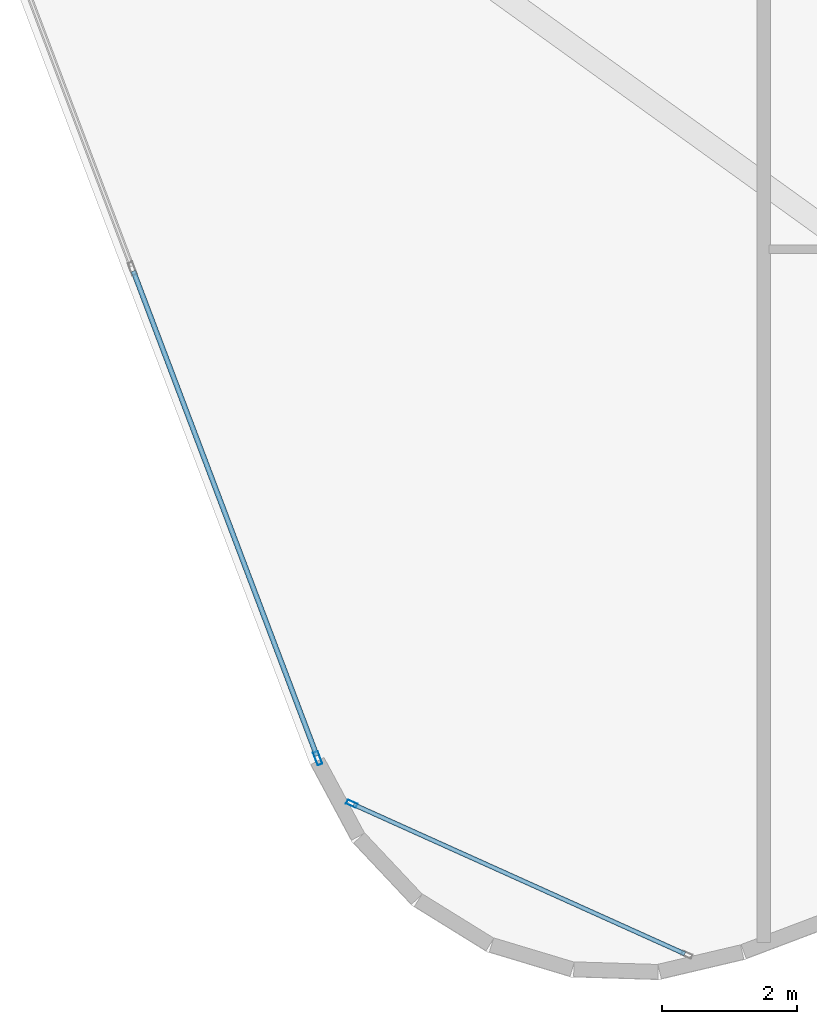
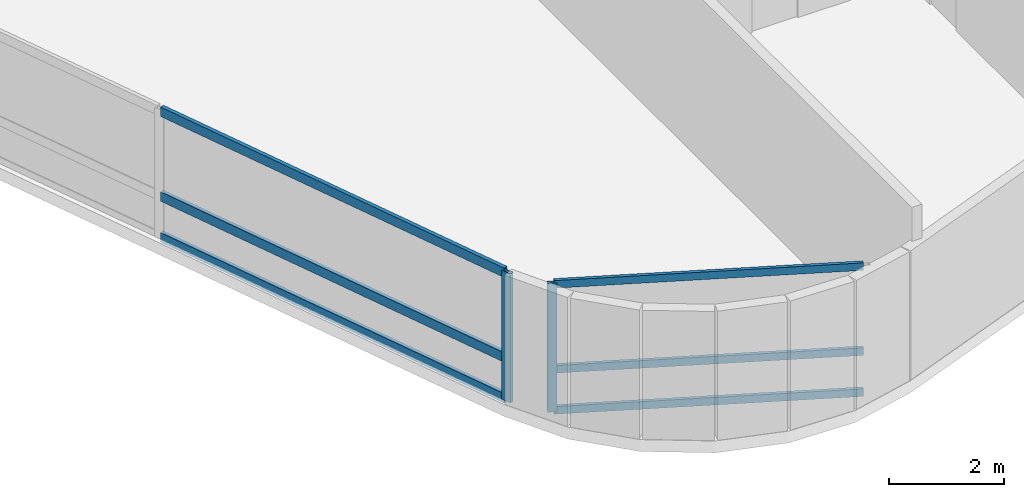
# One storey, part 3 of 24: 8 members, 2 elements without a shape of their own.
"""IFC4 building model written with IfcOpenShell, lengths in metres."""

from ifc_helpers import new_model, si_unit, direction, frame, origin, origin_2d, place, context, subcontext, project, spatial, hollow_rectangle, extrude, material, layer, layer_set, material_profile, profile_set, type_object, element, aggregate, save


model = new_model("IFC4")

# Units and contexts
model_context = context("Model", 3, precision=1e-05, world=origin(), true_north=direction((0.0, 1.0)))
body_context = subcontext(model_context, "Body", "Model", "MODEL_VIEW")
ifc_project = project(units=[si_unit("LENGTHUNIT", "METRE"), si_unit("AREAUNIT", "SQUARE_METRE"), si_unit("VOLUMEUNIT", "CUBIC_METRE"), si_unit("PLANEANGLEUNIT", "RADIAN"), si_unit("MASSUNIT", "GRAM", prefix="KILO")], contexts=[model_context])

# Site, building, storey
site_placement = place(None, origin())
site = spatial("IfcSite", under=ifc_project, at=site_placement, CompositionType="ELEMENT")
building_placement = place(site_placement, origin())
building = spatial("IfcBuilding", under=site, at=building_placement, Name="Varnelok Gate Tower", CompositionType="ELEMENT")
storey_placement = place(building_placement, frame((0.0, 0.0, 212.699951171875)))
storey = spatial("IfcBuildingStorey", under=building, at=storey_placement, Name="L54", CompositionType="ELEMENT", Elevation=212.699951171875)

# Curtain wall, member
ifc_material = material(Name="Anodized Aluminum Alloy 6063-T6", Category="aluminium")
ifc_layer_1 = layer(ifc_material, 0.179931640625)
ifc_layer_set_1 = layer_set([ifc_layer_1], Name="Anodized Aluminum Alloy 6063-T6")
curtain_wall_type_1 = type_object("IfcCurtainWallType", Name="CW5-WINDCORNER-GLAZ", PredefinedType="USERDEFINED", material=ifc_layer_set_1)
curtain_wall_1_placement = place(storey_placement, origin())
curtain_wall_1 = element("IfcCurtainWall", 1, at=curtain_wall_1_placement, inside=storey, type_object=curtain_wall_type_1, Name="L54 Wind-Shaped Corner Curtain Wall SW", ObjectType="STRUCTURAL GLAZING", PredefinedType="USERDEFINED")
ifc_material_profile_1 = material_profile(ifc_material, hollow_rectangle(XDim=0.06494140625, YDim=0.159912109375, WallThickness=0.00390625, at=origin_2d()), Name="ALU160X65X4")
ifc_profile_set_1 = profile_set([ifc_material_profile_1], Name="Anodized Aluminum Alloy 6063-T6")
member_type_1 = type_object("IfcMemberType", Name="CW-MULL-160", PredefinedType="MULLION", material=ifc_profile_set_1)
member_1_placement = place(storey_placement, frame((14.39013671875, -1.599853515625, 0.0), z_axis=(0.0, 0.0, 1.0), x_axis=(0.410939058285, 0.911662816164, 0.0)))
member_1 = element("IfcMember", 2, at=member_1_placement, type_object=member_type_1, Name="CW5 mullion 1", PredefinedType="MULLION", context=body_context, shape_type="SweptSolid", body=[
    extrude(hollow_rectangle(XDim=0.06494140625, YDim=0.159912109375, WallThickness=0.00390625, at=origin_2d()), origin(), (0.0, 0.0, 1.0), 2.72998046875),
])

ifc_layer_2 = layer(ifc_material, 0.179931640625)
ifc_layer_set_2 = layer_set([ifc_layer_2], Name="Anodized Aluminum Alloy 6063-T6")
curtain_wall_type_2 = type_object("IfcCurtainWallType", Name="CW4-RESIDENCE-VISION", PredefinedType="USERDEFINED", material=ifc_layer_set_2)
curtain_wall_2_placement = place(storey_placement, origin())
curtain_wall_2 = element("IfcCurtainWall", 3, at=curtain_wall_2_placement, inside=storey, type_object=curtain_wall_type_2, Name="L54 West End Vision Curtain Wall", ObjectType="UNITISED CURTAIN WALL", PredefinedType="USERDEFINED")
ifc_material_profile_2 = material_profile(ifc_material, hollow_rectangle(XDim=0.074951171875, YDim=0.199951171875, WallThickness=0.00390625, at=origin_2d()), Name="ALU200X75X4")
ifc_profile_set_2 = profile_set([ifc_material_profile_2], Name="Anodized Aluminum Alloy 6063-T6")
member_type_2 = type_object("IfcMemberType", Name="CW-MULL-200", PredefinedType="MULLION", material=ifc_profile_set_2)
member_2_placement = place(storey_placement, frame((13.88525390625, -0.92431640625, 0.0), z_axis=(0.0, 0.0, 1.0), x_axis=(-0.935221557832, -0.354063042079, 0.0)))
member_2 = element("IfcMember", 4, at=member_2_placement, type_object=member_type_2, Name="CW4 mullion 1", PredefinedType="MULLION", context=body_context, shape_type="SweptSolid", body=[
    extrude(hollow_rectangle(XDim=0.074951171875, YDim=0.199951171875, WallThickness=0.00390625, at=origin_2d()), origin(), (0.0, 0.0, 1.0), 2.72998046875),
])

# Member
ifc_material_profile_3 = material_profile(ifc_material, hollow_rectangle(XDim=0.06494140625, YDim=0.159912109375, WallThickness=0.00390625, at=origin_2d()), Name="ALU160X65X4")
ifc_profile_set_3 = profile_set([ifc_material_profile_3], Name="Anodized Aluminum Alloy 6063-T6")
member_type_3 = type_object("IfcMemberType", Name="CW-TRAN-160", PredefinedType="USERDEFINED", material=ifc_profile_set_3)
member_3_placement = place(storey_placement, frame((14.419677734375, -1.613037109375, 0.032470703125), z_axis=(0.911658364324, -0.41094893449, 0.0), x_axis=(0.41094893449, 0.911658364324, 0.0)))
member_3 = element("IfcMember", 5, at=member_3_placement, type_object=member_type_3, Name="CW5 transom 1.1", ObjectType="TRANSOM", PredefinedType="USERDEFINED", context=body_context, shape_type="SweptSolid", body=[
    extrude(hollow_rectangle(XDim=0.06494140625, YDim=0.159912109375, WallThickness=0.00390625, at=origin_2d()), origin(), (0.0, 0.0, 1.0), 5.385498046875),
])

member_4_placement = place(storey_placement, frame((14.419677734375, -1.613037109375, 0.900146484375), z_axis=(0.911658364324, -0.41094893449, 0.0), x_axis=(0.41094893449, 0.911658364324, 0.0)))
member_4 = element("IfcMember", 6, at=member_4_placement, type_object=member_type_3, Name="CW5 transom 1.2", ObjectType="TRANSOM", PredefinedType="USERDEFINED", context=body_context, shape_type="SweptSolid", body=[
    extrude(hollow_rectangle(XDim=0.06494140625, YDim=0.159912109375, WallThickness=0.00390625, at=origin_2d()), origin(), (0.0, 0.0, 1.0), 5.385498046875),
])

member_5_placement = place(storey_placement, frame((14.419677734375, -1.613037109375, 2.697509765625), z_axis=(0.911658364324, -0.41094893449, 0.0), x_axis=(0.41094893449, 0.911658364324, 0.0)))
member_5 = element("IfcMember", 7, at=member_5_placement, type_object=member_type_3, Name="CW5 transom 1.3", ObjectType="TRANSOM", PredefinedType="USERDEFINED", context=body_context, shape_type="SweptSolid", body=[
    extrude(hollow_rectangle(XDim=0.06494140625, YDim=0.159912109375, WallThickness=0.00390625, at=origin_2d()), origin(), (0.0, 0.0, 1.0), 5.385498046875),
])

aggregate(curtain_wall_1, [member_1, member_3, member_4, member_5])

ifc_material_profile_4 = material_profile(ifc_material, hollow_rectangle(XDim=0.074951171875, YDim=0.199951171875, WallThickness=0.00390625, at=origin_2d()), Name="ALU200X75X4")
ifc_profile_set_4 = profile_set([ifc_material_profile_4], Name="Anodized Aluminum Alloy 6063-T6")
member_type_4 = type_object("IfcMemberType", Name="CW-TRAN-200", PredefinedType="USERDEFINED", material=ifc_profile_set_4)
member_6_placement = place(storey_placement, frame((13.871826171875, -0.88916015625, 0.03759765625), z_axis=(-0.354045264669, 0.935228287941, 0.0), x_axis=(-0.935228287941, -0.354045264669, 0.0)))
member_6 = element("IfcMember", 8, at=member_6_placement, type_object=member_type_4, Name="CW4 transom 1.1", ObjectType="TRANSOM", PredefinedType="USERDEFINED", context=body_context, shape_type="SweptSolid", body=[
    extrude(hollow_rectangle(XDim=0.074951171875, YDim=0.199951171875, WallThickness=0.00390625, at=origin_2d()), origin(), (0.0, 0.0, 1.0), 7.687255859375),
])

member_7_placement = place(storey_placement, frame((13.871826171875, -0.88916015625, 0.900146484375), z_axis=(-0.354045264669, 0.935228287941, 0.0), x_axis=(-0.935228287941, -0.354045264669, 0.0)))
member_7 = element("IfcMember", 9, at=member_7_placement, type_object=member_type_4, Name="CW4 transom 1.2", ObjectType="TRANSOM", PredefinedType="USERDEFINED", context=body_context, shape_type="SweptSolid", body=[
    extrude(hollow_rectangle(XDim=0.074951171875, YDim=0.199951171875, WallThickness=0.00390625, at=origin_2d()), origin(), (0.0, 0.0, 1.0), 7.687255859375),
])

member_8_placement = place(storey_placement, frame((13.871826171875, -0.88916015625, 2.692626953125), z_axis=(-0.354045264669, 0.935228287941, 0.0), x_axis=(-0.935228287941, -0.354045264669, 0.0)))
member_8 = element("IfcMember", 10, at=member_8_placement, type_object=member_type_4, Name="CW4 transom 1.3", ObjectType="TRANSOM", PredefinedType="USERDEFINED", context=body_context, shape_type="SweptSolid", body=[
    extrude(hollow_rectangle(XDim=0.074951171875, YDim=0.199951171875, WallThickness=0.00390625, at=origin_2d()), origin(), (0.0, 0.0, 1.0), 7.687255859375),
])

aggregate(curtain_wall_2, [member_2, member_6, member_7, member_8])

save(model, "model.ifc")
